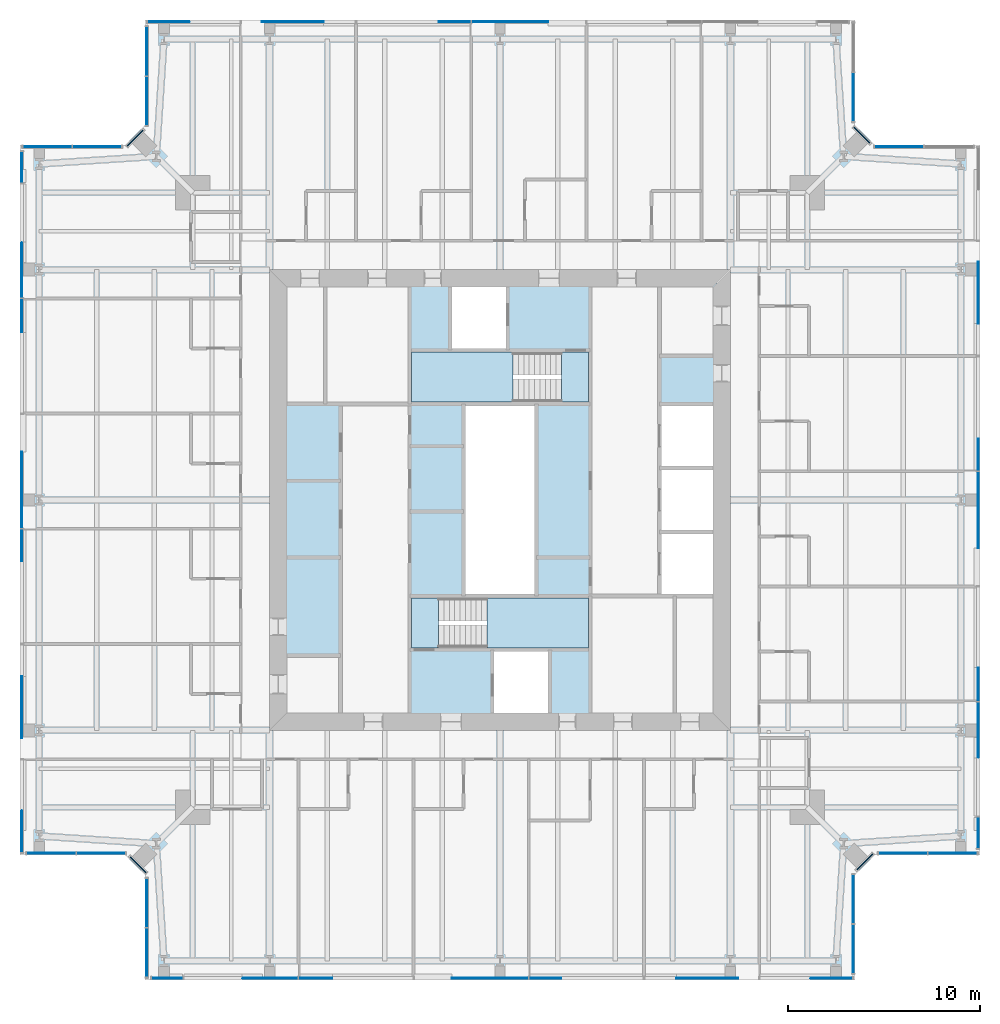
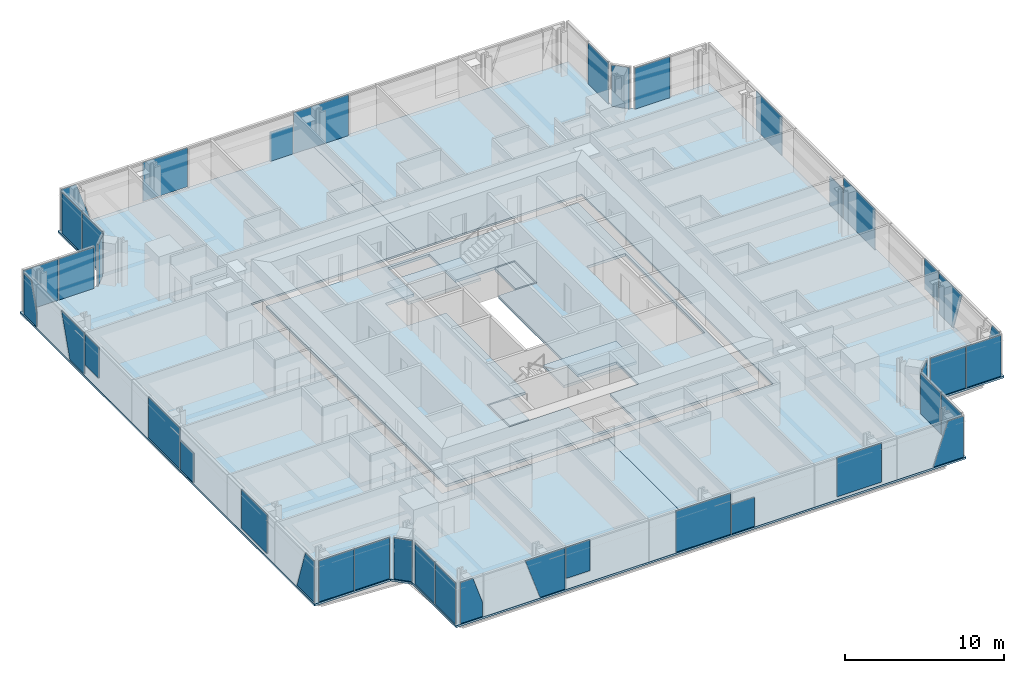
# One storey, part 10 of 20: 42 plates, 7 slabs, 18 elements without a shape of their own.
"""IFC4 building model written with IfcOpenShell, lengths in metres."""

import ifcopenshell
import ifcopenshell.guid

model = None  # the IFC model being written
_history = None  # IfcOwnerHistory: only IFC2X3 demands one
_inside = {}  # id of a spatial element -> (the spatial element, [elements in it])
_under = {}  # id of a project, library or spatial element -> (it, [spatial elements below it])
_declared = {}  # id of a project -> (the project, [libraries it declares])
_typed = {}  # id of a type object -> (the type object, [elements of that type])
_made_of = {}  # id of a material, layer set ... -> (it, [elements and type objects made of it])


def new_model(schema):
    """Start an empty IFC model of exactly this schema.

    Asked for "IFC4X3", IfcOpenShell would pick the latest addendum, in which some entities
    have other attributes; the version numbers below select the first issue.
    IFC2X3 requires an IfcOwnerHistory on every rooted entity: one is made here for all.
    """
    global model, _history
    if schema == "IFC4X3":
        model = ifcopenshell.file(schema_version=(4, 3, 0, 0))
    else:
        model = ifcopenshell.file(schema=schema)
    _inside.clear()
    _under.clear()
    _declared.clear()
    _typed.clear()
    _made_of.clear()
    _history = None
    if model.schema == "IFC2X3":
        org = make("IfcOrganization", Name="unknown")
        user = make(
            "IfcPersonAndOrganization",
            ThePerson=make("IfcPerson", FamilyName="unknown"),
            TheOrganization=org,
        )
        app = make(
            "IfcApplication",
            ApplicationDeveloper=org,
            Version="unknown",
            ApplicationFullName="unknown",
            ApplicationIdentifier="unknown",
        )
        _history = make(
            "IfcOwnerHistory",
            OwningUser=user,
            OwningApplication=app,
            ChangeAction="ADDED",
            CreationDate=0,
        )
    return model


def make(cls, **values):
    """One entity of the class cls with the attributes given. An attribute that is None is left unset."""
    return model.create_entity(
        cls, **{name: value for name, value in values.items() if value is not None}
    )


def rooted(cls, **values):
    """An entity with a GlobalId (a new one), such as an element, a storey or a relation."""
    return make(cls, GlobalId=ifcopenshell.guid.new(), OwnerHistory=_history, **values)


def si_unit(unit_type, name, prefix=None):
    """IfcSIUnit, for example si_unit("LENGTHUNIT", "METRE", prefix="MILLI")."""
    return make("IfcSIUnit", UnitType=unit_type, Prefix=prefix, Name=name)


def assignment(units):
    """IfcUnitAssignment: the units of a project."""
    return None if units is None else make("IfcUnitAssignment", Units=units)


def point(xyz):
    """IfcCartesianPoint."""
    return None if xyz is None else make("IfcCartesianPoint", Coordinates=xyz)


def direction(xyz):
    """IfcDirection."""
    return None if xyz is None else make("IfcDirection", DirectionRatios=xyz)


def frame(location, z_axis=None, x_axis=None):
    """IfcAxis2Placement3D, a coordinate frame: its origin and axes. An axis left out is left unset."""
    return make(
        "IfcAxis2Placement3D",
        Location=point(location),
        Axis=direction(z_axis),
        RefDirection=direction(x_axis),
    )


def frame_2d(location, x_axis=None):
    """IfcAxis2Placement2D, a coordinate frame in the plane: its origin and x axis."""
    return make(
        "IfcAxis2Placement2D", Location=point(location), RefDirection=direction(x_axis)
    )


def origin():
    """The frame at (0, 0, 0) with its axes left unset."""
    return frame((0.0, 0.0, 0.0))


def origin_2d():
    """The frame at (0, 0) in the plane with its x axis left unset."""
    return frame_2d((0.0, 0.0))


def place(relative_to, where):
    """IfcLocalPlacement: puts the frame where relative to a parent placement (None: the world)."""
    return make(
        "IfcLocalPlacement", PlacementRelTo=relative_to, RelativePlacement=where
    )


def context(
    kind, dimensions, precision=None, world=None, true_north=None, identifier=None
):
    """IfcGeometricRepresentationContext, for example the 3D "Model" context."""
    return make(
        "IfcGeometricRepresentationContext",
        ContextIdentifier=identifier,
        ContextType=kind,
        CoordinateSpaceDimension=dimensions,
        Precision=precision,
        WorldCoordinateSystem=world,
        TrueNorth=true_north,
    )


def subcontext(parent, identifier, kind, view, scale=None):
    """IfcGeometricRepresentationSubContext, for example "Body" below "Model"."""
    return make(
        "IfcGeometricRepresentationSubContext",
        ContextIdentifier=identifier,
        ContextType=kind,
        ParentContext=parent,
        TargetScale=scale,
        TargetView=view,
    )


def project(units=None, contexts=None):
    """IfcProject with its units and contexts."""
    return rooted(
        "IfcProject",
        Name="project",
        RepresentationContexts=contexts,
        UnitsInContext=assignment(units),
    )


def spatial(cls, under=None, at=None, **own):
    """A site, building, storey or space (cls), placed at a placement, below another one or the project."""
    s = rooted(cls, ObjectPlacement=at, **own)
    if under is not None:
        _under.setdefault(under.id(), (under, []))[1].append(s)
    return s


def polyline(points):
    """IfcPolyline through the points."""
    return make("IfcPolyline", Points=[point(p) for p in points])


def profile(cls, at=None, kind="AREA", **sizes):
    """A parametric profile (cls). Its sizes go by their IFC names, for example OverallWidth=200.0."""
    return make(cls, ProfileType=kind, Position=at, **sizes)


def rectangle(**sizes):
    """IfcRectangleProfileDef."""
    return profile("IfcRectangleProfileDef", **sizes)


def outline(outer, holes=None, kind="AREA"):
    """IfcArbitraryClosedProfileDef: a profile drawn as a closed curve; with holes, ...WithVoids."""
    if holes is None:
        return make("IfcArbitraryClosedProfileDef", ProfileType=kind, OuterCurve=outer)
    return make(
        "IfcArbitraryProfileDefWithVoids",
        ProfileType=kind,
        OuterCurve=outer,
        InnerCurves=holes,
    )


def extrude(swept, where, along, depth):
    """IfcExtrudedAreaSolid: the profile swept, set in the frame where, extruded along a direction by depth."""
    return make(
        "IfcExtrudedAreaSolid",
        SweptArea=swept,
        Position=where,
        ExtrudedDirection=direction(along),
        Depth=depth,
    )


def shape(context_of_items, identifier, shape_type, items):
    """IfcShapeRepresentation: the items that make up one representation, for example the "Body"."""
    return make(
        "IfcShapeRepresentation",
        ContextOfItems=context_of_items,
        RepresentationIdentifier=identifier,
        RepresentationType=shape_type,
        Items=items,
    )


def material(Name=None, Category=None):
    """IfcMaterial."""
    return make("IfcMaterial", Name=Name, Category=Category)


def layer(
    of_material, thickness, ventilated=None, Name=None, Category=None, Priority=None
):
    """IfcMaterialLayer: one layer of a wall or slab, of a material (None: an air gap)."""
    return make(
        "IfcMaterialLayer",
        Material=of_material,
        LayerThickness=thickness,
        IsVentilated=ventilated,
        Name=Name,
        Category=Category,
        Priority=Priority,
    )


def layer_set(layers, Name=None):
    """IfcMaterialLayerSet."""
    return make("IfcMaterialLayerSet", MaterialLayers=layers, LayerSetName=Name)


def made_of(thing, what):
    """Note that an element or type object is made of a material, layer set ...; save() writes the relation."""
    if what is not None:
        _made_of.setdefault(what.id(), (what, []))[1].append(thing)
    return thing


def type_object(cls, material=None, **own):
    """A type object (cls), such as IfcWallType, which elements share."""
    return made_of(rooted(cls, **own), material)


def element(
    cls,
    number,
    at=None,
    inside=None,
    cuts=None,
    type_object=None,
    material=None,
    context=None,
    identifier="Body",
    shape_type=None,
    held_by="IfcProductDefinitionShape",
    body=None,
    shapes=None,
    **own,
):
    """One element of the class cls, such as IfcWall. Its Tag is "e" and its number.

    at: its placement. inside: the storey or other place that contains it. cuts: it is an
    opening in that element (IfcRelVoidsElement). A single representation is given by context,
    identifier, shape_type and body (its items); several are given by shapes. held_by: the class
    of the entity that holds the representations. save() writes the other relations.
    """
    e = rooted(cls, Tag="e%d" % number, ObjectPlacement=at, **own)
    if body is not None:
        shapes = [shape(context, identifier, shape_type, body)]
    if shapes is not None:
        e.Representation = make(held_by, Representations=shapes)
    if inside is not None:
        _inside.setdefault(inside.id(), (inside, []))[1].append(e)
    if cuts is not None:
        rooted(
            "IfcRelVoidsElement", RelatingBuildingElement=cuts, RelatedOpeningElement=e
        )
    if type_object is not None:
        _typed.setdefault(type_object.id(), (type_object, []))[1].append(e)
    return made_of(e, material)


def aggregate(whole, parts):
    """IfcRelAggregates: a whole, such as a stair, and the parts it consists of."""
    return rooted("IfcRelAggregates", RelatingObject=whole, RelatedObjects=parts)


def save(model, path):
    """Write the relations noted so far, then the file.

    IfcRelAggregates (storeys below a building ...), IfcRelContainedInSpatialStructure (elements
    in a storey), IfcRelDefinesByType, IfcRelAssociatesMaterial and IfcRelDeclares: one each for
    every whole, place, type object, material and project.
    """
    for whole, parts in _under.values():
        aggregate(whole, parts)
    for where, things in _inside.values():
        rooted(
            "IfcRelContainedInSpatialStructure",
            RelatedElements=things,
            RelatingStructure=where,
        )
    for kind, things in _typed.values():
        rooted("IfcRelDefinesByType", RelatedObjects=things, RelatingType=kind)
    for what, things in _made_of.values():
        rooted("IfcRelAssociatesMaterial", RelatedObjects=things, RelatingMaterial=what)
    for by, libraries in _declared.values():
        rooted("IfcRelDeclares", RelatingContext=by, RelatedDefinitions=libraries)
    model.write(path)


model = new_model("IFC4")

# Units and contexts
model_context = context("Model", 3, precision=1e-05, world=origin(), true_north=direction((0.0, 1.0)))
body_context = subcontext(model_context, "Body", "Model", "MODEL_VIEW")
ifc_project = project(units=[si_unit("LENGTHUNIT", "METRE"), si_unit("AREAUNIT", "SQUARE_METRE"), si_unit("VOLUMEUNIT", "CUBIC_METRE"), si_unit("PLANEANGLEUNIT", "RADIAN"), si_unit("MASSUNIT", "GRAM", prefix="KILO")], contexts=[model_context])

# Site, building, storey
site_placement = place(None, origin())
site = spatial("IfcSite", under=ifc_project, at=site_placement, CompositionType="ELEMENT")
building_placement = place(site_placement, origin())
building = spatial("IfcBuilding", under=site, at=building_placement, Name="Fenwick Lantern Interchange", CompositionType="ELEMENT")
storey_placement = place(building_placement, frame((0.0, 0.0, 245.800048828125)))
storey = spatial("IfcBuildingStorey", under=building, at=storey_placement, Name="L57", CompositionType="ELEMENT", Elevation=245.800048828125)

# Slabs
ifc_material_1 = material(Name="Concrete f'c 35 MPa", Category="concrete")
ifc_layer_1 = layer(ifc_material_1, 0.199951171875)
ifc_layer_set_1 = layer_set([ifc_layer_1], Name="CORE FLOOR SLAB 200")
slab_type_1 = type_object("IfcSlabType", Name="CORE FLOOR SLAB 200", PredefinedType="FLOOR", material=ifc_layer_set_1)
slab_1_placement = place(storey_placement, frame((0.0, 0.0, -0.199951171875)))
element("IfcSlab", 1, at=slab_1_placement, inside=storey, type_object=slab_type_1, Name="L57/SLAB/CORE", PredefinedType="FLOOR", context=body_context, shape_type="SweptSolid", body=[
    extrude(outline(polyline([(13.699951171875, 36.300048828125), (36.300048828125, 36.300048828125), (36.300048828125, 13.699951171875), (13.699951171875, 13.699951171875), (13.699951171875, 36.300048828125)]), holes=[polyline([(24.60009765625, 13.89990234375), (27.60009765625, 13.89990234375), (27.60009765625, 17.199951171875), (29.699951171875, 17.199951171875), (29.699951171875, 20.0), (26.89990234375, 20.0), (26.89990234375, 30.0), (29.699951171875, 30.0), (29.699951171875, 32.800048828125), (25.39990234375, 32.800048828125), (25.39990234375, 36.10009765625), (22.39990234375, 36.10009765625), (22.39990234375, 32.800048828125), (20.300048828125, 32.800048828125), (20.300048828125, 30.0), (23.10009765625, 30.0), (23.10009765625, 20.0), (20.300048828125, 20.0), (20.300048828125, 17.199951171875), (24.60009765625, 17.199951171875), (24.60009765625, 13.89990234375)]), polyline([(33.300048828125, 20.0), (36.10009765625, 20.0), (36.10009765625, 23.333251953125), (36.10009765625, 26.666748046875), (36.10009765625, 30.0), (33.300048828125, 30.0), (33.300048828125, 26.666748046875), (33.300048828125, 23.333251953125), (33.300048828125, 20.0)])]), origin(), (0.0, 0.0, 1.0), 0.199951171875),
])
ifc_material_2 = material(Name="Concrete f'c 35 MPa", Category="concrete")
ifc_layer_2 = layer(ifc_material_2, 0.14990234375)
ifc_layer_set_2 = layer_set([ifc_layer_2], Name="Concrete f'c 35 MPa")
slab_type_2 = type_object("IfcSlabType", Name="FLOOR SLAB 150", PredefinedType="FLOOR", material=ifc_layer_set_2)
slab_2_placement = place(storey_placement, frame((0.0, 0.0, -0.150146484375)))
element("IfcSlab", 2, at=slab_2_placement, inside=storey, type_object=slab_type_2, Name="L57/SLAB/FW", PredefinedType="FLOOR", context=body_context, shape_type="SweptSolid", body=[
    extrude(outline(polyline([(6.5, 0.0), (6.5, 5.5), (5.5, 6.5), (0.0, 6.5), (0.0, 43.5), (5.5, 43.5), (6.5, 44.5), (6.5, 50.0), (25.0, 50.0), (25.0, 37.0), (13.0, 37.0), (13.0, 13.0), (25.0, 13.0), (25.0, 0.0), (6.5, 0.0)])), origin(), (0.0, 0.0, 1.0), 0.150146484375),
])
slab_3_placement = place(storey_placement, frame((0.0, 0.0, -0.150146484375)))
element("IfcSlab", 3, at=slab_3_placement, inside=storey, type_object=slab_type_2, Name="L57/SLAB/FE", PredefinedType="FLOOR", context=body_context, shape_type="SweptSolid", body=[
    extrude(outline(polyline([(43.5, 50.0), (43.5, 44.5), (44.5, 43.5), (50.0, 43.5), (50.0, 6.5), (44.5, 6.5), (43.5, 5.5), (43.5, 0.0), (25.0, 0.0), (25.0, 13.0), (37.0, 13.0), (37.0, 37.0), (25.0, 37.0), (25.0, 50.0), (43.5, 50.0)])), origin(), (0.0, 0.0, 1.0), 0.150146484375),
])

# Curtain wall, plates
ifc_material_3 = material(Name="Aluminium curtain wall frame", Category="aluminium")
curtain_wall_type = type_object("IfcCurtainWallType", Name="HOTEL CURTAIN WALL", PredefinedType="USERDEFINED", material=ifc_material_3)
curtain_wall_1_placement = place(storey_placement, origin())
curtain_wall_1 = element("IfcCurtainWall", 4, at=curtain_wall_1_placement, inside=storey, type_object=curtain_wall_type, Name="Hotel curtain wall 01", ObjectType="HOTEL CURTAIN WALL", PredefinedType="USERDEFINED")
ifc_material_4 = material(Name="Vision glass, acoustic laminated double glazed unit", Category="glass")
ifc_layer_3 = layer(ifc_material_4, 0.052001953125)
ifc_layer_set_3 = layer_set([ifc_layer_3], Name="HOTEL CURTAIN WALL PANEL 52")
plate_type = type_object("IfcPlateType", Name="HOTEL CURTAIN WALL PANEL 52", PredefinedType="CURTAIN_PANEL", material=ifc_layer_set_3)
plate_1_placement = place(storey_placement, frame((6.60009765625, 0.10009765625, 0.0), z_axis=(0.0, 0.0, 1.0), x_axis=(1.0, 0.0, 0.0)))
plate_1 = element("IfcPlate", 5, at=plate_1_placement, type_object=plate_type, Name="L57/CW/01/P00a", PredefinedType="CURTAIN_PANEL", context=body_context, shape_type="SweptSolid", body=[
    extrude(outline(polyline([(0.260009765625, 0.0), (1.8701171875, 0.0), (1.8701171875, 1.093505859375), (1.17578125, 3.14990234375), (0.260009765625, 3.14990234375), (0.260009765625, 0.0)])), frame((0.0, 0.02587890625, 0.0), z_axis=(0.0, -1.0, 0.0), x_axis=(1.0, 0.0, 0.0)), (0.0, 0.0, 1.0), 0.052001953125),
])
plate_2_placement = place(storey_placement, frame((6.60009765625, 0.10009765625, 0.0), z_axis=(0.0, 0.0, 1.0), x_axis=(1.0, 0.0, 0.0)))
plate_2 = element("IfcPlate", 6, at=plate_2_placement, type_object=plate_type, Name="L57/CW/01/P01a", PredefinedType="CURTAIN_PANEL", context=body_context, shape_type="SweptSolid", body=[
    extrude(outline(polyline([(6.038818359375, 0.0), (7.8701171875, 0.0), (7.8701171875, 3.14990234375), (4.975341796875, 3.14990234375), (6.038818359375, 0.0)])), frame((0.0, 0.02587890625, 0.0), z_axis=(0.0, -1.0, 0.0), x_axis=(1.0, 0.0, 0.0)), (0.0, 0.0, 1.0), 0.052001953125),
])
plate_3_placement = place(storey_placement, frame((6.60009765625, 0.10009765625, 0.7841796875), z_axis=(0.0, 0.0, 1.0), x_axis=(1.0, 0.0, 0.0)))
plate_3 = element("IfcPlate", 7, at=plate_3_placement, type_object=plate_type, Name="L57/CW/01/P02a", PredefinedType="CURTAIN_PANEL", context=body_context, shape_type="SweptSolid", body=[
    extrude(outline(polyline([(7.929931640625, 0.0), (9.675048828125, 0.0), (9.675048828125, 2.36572265625), (7.929931640625, 2.36572265625), (7.929931640625, 0.0)])), frame((0.0, 0.02587890625, 0.0), z_axis=(0.0, -1.0, 0.0), x_axis=(1.0, 0.0, 0.0)), (0.0, 0.0, 1.0), 0.052001953125),
])
plate_4_placement = place(storey_placement, frame((6.60009765625, 0.10009765625, 0.0), z_axis=(0.0, 0.0, 1.0), x_axis=(1.0, 0.0, 0.0)))
plate_4 = element("IfcPlate", 8, at=plate_4_placement, type_object=plate_type, Name="L57/CW/01/P03a", PredefinedType="CURTAIN_PANEL", context=body_context, shape_type="SweptSolid", body=[
    extrude(outline(polyline([(15.889892578125, 0.0), (19.8701171875, 0.0), (19.8701171875, 3.14990234375), (15.889892578125, 3.14990234375), (15.889892578125, 0.0)])), frame((0.0, 0.02587890625, 0.0), z_axis=(0.0, -1.0, 0.0), x_axis=(1.0, 0.0, 0.0)), (0.0, 0.0, 1.0), 0.052001953125),
])
plate_5_placement = place(storey_placement, frame((6.60009765625, 0.10009765625, 0.0), z_axis=(0.0, 0.0, 1.0), x_axis=(1.0, 0.0, 0.0)))
plate_5 = element("IfcPlate", 9, at=plate_5_placement, type_object=plate_type, Name="L57/CW/01/P04a", PredefinedType="CURTAIN_PANEL", context=body_context, shape_type="SweptSolid", body=[
    extrude(outline(polyline([(19.929931640625, 0.0), (21.580078125, 0.0), (21.580078125, 2.24169921875), (19.929931640625, 2.24169921875), (19.929931640625, 0.0)])), frame((0.0, 0.02587890625, 0.0), z_axis=(0.0, -1.0, 0.0), x_axis=(1.0, 0.0, 0.0)), (0.0, 0.0, 1.0), 0.052001953125),
])
plate_6_placement = place(storey_placement, frame((6.60009765625, 0.10009765625, 0.15966796875), z_axis=(0.0, 0.0, 1.0), x_axis=(1.0, 0.0, 0.0)))
plate_6 = element("IfcPlate", 10, at=plate_6_placement, type_object=plate_type, Name="L57/CW/01/P05a", PredefinedType="CURTAIN_PANEL", context=body_context, shape_type="SweptSolid", body=[
    extrude(outline(polyline([(27.5849609375, 0.0), (30.81494140625, 0.0), (30.81494140625, 2.990234375), (27.5849609375, 2.990234375), (27.5849609375, 0.0)])), frame((0.0, 0.02587890625, 0.0), z_axis=(0.0, -1.0, 0.0), x_axis=(1.0, 0.0, 0.0)), (0.0, 0.0, 1.0), 0.052001953125),
])
plate_7_placement = place(storey_placement, frame((6.60009765625, 0.10009765625, 0.0), z_axis=(0.0, 0.0, 1.0), x_axis=(1.0, 0.0, 0.0)))
plate_7 = element("IfcPlate", 11, at=plate_7_placement, type_object=plate_type, Name="L57/CW/01/P06a", PredefinedType="CURTAIN_PANEL", context=body_context, shape_type="SweptSolid", body=[
    extrude(outline(polyline([(34.560791015625, 0.0), (36.739990234375, 0.0), (36.739990234375, 3.14990234375), (35.624267578125, 3.14990234375), (34.560791015625, 0.0)])), frame((0.0, 0.02587890625, 0.0), z_axis=(0.0, -1.0, 0.0), x_axis=(1.0, 0.0, 0.0)), (0.0, 0.0, 1.0), 0.052001953125),
])
aggregate(curtain_wall_1, [plate_1, plate_2, plate_3, plate_4, plate_5, plate_6, plate_7])

curtain_wall_2_placement = place(storey_placement, origin())
curtain_wall_2 = element("IfcCurtainWall", 12, at=curtain_wall_2_placement, inside=storey, type_object=curtain_wall_type, Name="Hotel curtain wall 02", ObjectType="HOTEL CURTAIN WALL", PredefinedType="USERDEFINED")
plate_8_placement = place(storey_placement, frame((43.39990234375, 1.625244140625, 0.0), z_axis=(0.0, 0.0, 1.0), x_axis=(0.0, 1.0, 0.0)))
plate_8 = element("IfcPlate", 13, at=plate_8_placement, type_object=plate_type, Name="L57/CW/02/P00", PredefinedType="CURTAIN_PANEL", context=body_context, shape_type="SweptSolid", body=[
    extrude(rectangle(XDim=2.53076171875, YDim=0.052001953125, at=origin_2d()), origin(), (0.0, 0.0, 1.0), 3.14990234375),
])
plate_9_placement = place(storey_placement, frame((43.39990234375, 4.216064453125, 0.0), z_axis=(0.0, 0.0, 1.0), x_axis=(0.0, 1.0, 0.0)))
plate_9 = element("IfcPlate", 14, at=plate_9_placement, type_object=plate_type, Name="L57/CW/02/P01", PredefinedType="CURTAIN_PANEL", context=body_context, shape_type="SweptSolid", body=[
    extrude(rectangle(XDim=2.53076171875, YDim=0.052001953125, at=origin_2d()), origin(), (0.0, 0.0, 1.0), 3.14990234375),
])
aggregate(curtain_wall_2, [plate_8, plate_9])

# Curtain wall, plate
curtain_wall_3_placement = place(storey_placement, origin())
curtain_wall_3 = element("IfcCurtainWall", 15, at=curtain_wall_3_placement, inside=storey, type_object=curtain_wall_type, Name="Hotel curtain wall 03", ObjectType="HOTEL CURTAIN WALL", PredefinedType="USERDEFINED")
plate_10_placement = place(storey_placement, frame((44.0, 6.141357421875, 0.0), z_axis=(0.0, 0.0, 1.0), x_axis=(0.707106781187, 0.707106781187, 0.0)))
plate_10 = element("IfcPlate", 16, at=plate_10_placement, type_object=plate_type, Name="L57/CW/03/P00", PredefinedType="CURTAIN_PANEL", context=body_context, shape_type="SweptSolid", body=[
    extrude(rectangle(XDim=1.177001953125, YDim=0.052001953125, at=origin_2d()), origin(), (0.0, 0.0, 1.0), 3.14990234375),
])
aggregate(curtain_wall_3, [plate_10])

# Curtain wall, plates
curtain_wall_4_placement = place(storey_placement, origin())
curtain_wall_4 = element("IfcCurtainWall", 17, at=curtain_wall_4_placement, inside=storey, type_object=curtain_wall_type, Name="Hotel curtain wall 04", ObjectType="HOTEL CURTAIN WALL", PredefinedType="USERDEFINED")
plate_11_placement = place(storey_placement, frame((45.98388671875, 6.60009765625, 0.0), z_axis=(0.0, 0.0, 1.0), x_axis=(1.0, 0.0, 0.0)))
plate_11 = element("IfcPlate", 18, at=plate_11_placement, type_object=plate_type, Name="L57/CW/04/P00", PredefinedType="CURTAIN_PANEL", context=body_context, shape_type="SweptSolid", body=[
    extrude(rectangle(XDim=2.53076171875, YDim=0.052001953125, at=origin_2d()), origin(), (0.0, 0.0, 1.0), 3.14990234375),
])
plate_12_placement = place(storey_placement, frame((48.57470703125, 6.60009765625, 0.0), z_axis=(0.0, 0.0, 1.0), x_axis=(1.0, 0.0, 0.0)))
plate_12 = element("IfcPlate", 19, at=plate_12_placement, type_object=plate_type, Name="L57/CW/04/P01", PredefinedType="CURTAIN_PANEL", context=body_context, shape_type="SweptSolid", body=[
    extrude(rectangle(XDim=2.53076171875, YDim=0.052001953125, at=origin_2d()), origin(), (0.0, 0.0, 1.0), 3.14990234375),
])
aggregate(curtain_wall_4, [plate_11, plate_12])

curtain_wall_5_placement = place(storey_placement, origin())
curtain_wall_5 = element("IfcCurtainWall", 20, at=curtain_wall_5_placement, inside=storey, type_object=curtain_wall_type, Name="Hotel curtain wall 05", ObjectType="HOTEL CURTAIN WALL", PredefinedType="USERDEFINED")
plate_13_placement = place(storey_placement, frame((49.89990234375, 6.60009765625, 0.0), z_axis=(0.0, 0.0, 1.0), x_axis=(0.0, 1.0, 0.0)))
plate_13 = element("IfcPlate", 21, at=plate_13_placement, type_object=plate_type, Name="L57/CW/05/P00a", PredefinedType="CURTAIN_PANEL", context=body_context, shape_type="SweptSolid", body=[
    extrude(outline(polyline([(0.260009765625, 0.0), (1.8701171875, 0.0), (1.8701171875, 1.093505859375), (1.17578125, 3.14990234375), (0.260009765625, 3.14990234375), (0.260009765625, 0.0)])), frame((0.0, 0.02587890625, 0.0), z_axis=(0.0, -1.0, 0.0), x_axis=(1.0, 0.0, 0.0)), (0.0, 0.0, 1.0), 0.052001953125),
])
plate_14_placement = place(storey_placement, frame((49.89990234375, 6.60009765625, 0.0), z_axis=(0.0, 0.0, 1.0), x_axis=(0.0, 1.0, 0.0)))
plate_14 = element("IfcPlate", 22, at=plate_14_placement, type_object=plate_type, Name="L57/CW/05/P01a", PredefinedType="CURTAIN_PANEL", context=body_context, shape_type="SweptSolid", body=[
    extrude(outline(polyline([(6.038818359375, 0.0), (7.8701171875, 0.0), (7.8701171875, 3.14990234375), (4.975341796875, 3.14990234375), (6.038818359375, 0.0)])), frame((0.0, 0.02587890625, 0.0), z_axis=(0.0, -1.0, 0.0), x_axis=(1.0, 0.0, 0.0)), (0.0, 0.0, 1.0), 0.052001953125),
])
plate_15_placement = place(storey_placement, frame((49.89990234375, 6.60009765625, 0.7841796875), z_axis=(0.0, 0.0, 1.0), x_axis=(0.0, 1.0, 0.0)))
plate_15 = element("IfcPlate", 23, at=plate_15_placement, type_object=plate_type, Name="L57/CW/05/P02a", PredefinedType="CURTAIN_PANEL", context=body_context, shape_type="SweptSolid", body=[
    extrude(outline(polyline([(7.929931640625, 0.0), (9.675048828125, 0.0), (9.675048828125, 2.36572265625), (7.929931640625, 2.36572265625), (7.929931640625, 0.0)])), frame((0.0, 0.02587890625, 0.0), z_axis=(0.0, -1.0, 0.0), x_axis=(1.0, 0.0, 0.0)), (0.0, 0.0, 1.0), 0.052001953125),
])
plate_16_placement = place(storey_placement, frame((49.89990234375, 6.60009765625, 0.0), z_axis=(0.0, 0.0, 1.0), x_axis=(0.0, 1.0, 0.0)))
plate_16 = element("IfcPlate", 24, at=plate_16_placement, type_object=plate_type, Name="L57/CW/05/P03a", PredefinedType="CURTAIN_PANEL", context=body_context, shape_type="SweptSolid", body=[
    extrude(outline(polyline([(15.889892578125, 0.0), (19.8701171875, 0.0), (19.8701171875, 3.14990234375), (15.889892578125, 3.14990234375), (15.889892578125, 0.0)])), frame((0.0, 0.02587890625, 0.0), z_axis=(0.0, -1.0, 0.0), x_axis=(1.0, 0.0, 0.0)), (0.0, 0.0, 1.0), 0.052001953125),
])
plate_17_placement = place(storey_placement, frame((49.89990234375, 6.60009765625, 0.0), z_axis=(0.0, 0.0, 1.0), x_axis=(0.0, 1.0, 0.0)))
plate_17 = element("IfcPlate", 25, at=plate_17_placement, type_object=plate_type, Name="L57/CW/05/P04a", PredefinedType="CURTAIN_PANEL", context=body_context, shape_type="SweptSolid", body=[
    extrude(outline(polyline([(19.929931640625, 0.0), (21.580078125, 0.0), (21.580078125, 2.24169921875), (19.929931640625, 2.24169921875), (19.929931640625, 0.0)])), frame((0.0, 0.02587890625, 0.0), z_axis=(0.0, -1.0, 0.0), x_axis=(1.0, 0.0, 0.0)), (0.0, 0.0, 1.0), 0.052001953125),
])
plate_18_placement = place(storey_placement, frame((49.89990234375, 6.60009765625, 0.15966796875), z_axis=(0.0, 0.0, 1.0), x_axis=(0.0, 1.0, 0.0)))
plate_18 = element("IfcPlate", 26, at=plate_18_placement, type_object=plate_type, Name="L57/CW/05/P05a", PredefinedType="CURTAIN_PANEL", context=body_context, shape_type="SweptSolid", body=[
    extrude(outline(polyline([(27.5849609375, 0.0), (30.81494140625, 0.0), (30.81494140625, 2.990234375), (27.5849609375, 2.990234375), (27.5849609375, 0.0)])), frame((0.0, 0.02587890625, 0.0), z_axis=(0.0, -1.0, 0.0), x_axis=(1.0, 0.0, 0.0)), (0.0, 0.0, 1.0), 0.052001953125),
])
aggregate(curtain_wall_5, [plate_13, plate_14, plate_15, plate_16, plate_17, plate_18])

# Curtain wall, plate
curtain_wall_6_placement = place(storey_placement, origin())
curtain_wall_6 = element("IfcCurtainWall", 27, at=curtain_wall_6_placement, inside=storey, type_object=curtain_wall_type, Name="Hotel curtain wall 06", ObjectType="HOTEL CURTAIN WALL", PredefinedType="USERDEFINED")
plate_19_placement = place(storey_placement, frame((45.783935546875, 43.39990234375, 0.0), z_axis=(0.0, 0.0, 1.0), x_axis=(-1.0, 0.0, 0.0)))
plate_19 = element("IfcPlate", 28, at=plate_19_placement, type_object=plate_type, Name="L57/CW/06/P01", PredefinedType="CURTAIN_PANEL", context=body_context, shape_type="SweptSolid", body=[
    extrude(rectangle(XDim=2.53076171875, YDim=0.052001953125, at=origin_2d()), origin(), (0.0, 0.0, 1.0), 3.14990234375),
])
aggregate(curtain_wall_6, [plate_19])

curtain_wall_7_placement = place(storey_placement, origin())
curtain_wall_7 = element("IfcCurtainWall", 29, at=curtain_wall_7_placement, inside=storey, type_object=curtain_wall_type, Name="Hotel curtain wall 07", ObjectType="HOTEL CURTAIN WALL", PredefinedType="USERDEFINED")
plate_20_placement = place(storey_placement, frame((43.858642578125, 44.0, 0.0), z_axis=(0.0, 0.0, 1.0), x_axis=(-0.707106781187, 0.707106781187, 0.0)))
plate_20 = element("IfcPlate", 30, at=plate_20_placement, type_object=plate_type, Name="L57/CW/07/P00", PredefinedType="CURTAIN_PANEL", context=body_context, shape_type="SweptSolid", body=[
    extrude(rectangle(XDim=1.177001953125, YDim=0.052001953125, at=origin_2d()), origin(), (0.0, 0.0, 1.0), 3.14990234375),
])
aggregate(curtain_wall_7, [plate_20])

curtain_wall_8_placement = place(storey_placement, origin())
curtain_wall_8 = element("IfcCurtainWall", 31, at=curtain_wall_8_placement, inside=storey, type_object=curtain_wall_type, Name="Hotel curtain wall 08", ObjectType="HOTEL CURTAIN WALL", PredefinedType="USERDEFINED")
plate_21_placement = place(storey_placement, frame((43.39990234375, 45.98388671875, 0.0), z_axis=(0.0, 0.0, 1.0), x_axis=(0.0, 1.0, 0.0)))
plate_21 = element("IfcPlate", 32, at=plate_21_placement, type_object=plate_type, Name="L57/CW/08/P00", PredefinedType="CURTAIN_PANEL", context=body_context, shape_type="SweptSolid", body=[
    extrude(rectangle(XDim=2.53076171875, YDim=0.052001953125, at=origin_2d()), origin(), (0.0, 0.0, 1.0), 3.14990234375),
])
aggregate(curtain_wall_8, [plate_21])

# Curtain wall, plates
curtain_wall_9_placement = place(storey_placement, origin())
curtain_wall_9 = element("IfcCurtainWall", 33, at=curtain_wall_9_placement, inside=storey, type_object=curtain_wall_type, Name="Hotel curtain wall 09", ObjectType="HOTEL CURTAIN WALL", PredefinedType="USERDEFINED")
plate_22_placement = place(storey_placement, frame((43.39990234375, 49.89990234375, 0.0), z_axis=(0.0, 0.0, 1.0), x_axis=(-1.0, 0.0, 0.0)))
plate_22 = element("IfcPlate", 34, at=plate_22_placement, type_object=plate_type, Name="L57/CW/09/P03a", PredefinedType="CURTAIN_PANEL", context=body_context, shape_type="SweptSolid", body=[
    extrude(outline(polyline([(15.889892578125, 0.0), (19.8701171875, 0.0), (19.8701171875, 3.14990234375), (15.889892578125, 3.14990234375), (15.889892578125, 0.0)])), frame((0.0, 0.02587890625, 0.0), z_axis=(0.0, -1.0, 0.0), x_axis=(1.0, 0.0, 0.0)), (0.0, 0.0, 1.0), 0.052001953125),
])
plate_23_placement = place(storey_placement, frame((43.39990234375, 49.89990234375, 0.0), z_axis=(0.0, 0.0, 1.0), x_axis=(-1.0, 0.0, 0.0)))
plate_23 = element("IfcPlate", 35, at=plate_23_placement, type_object=plate_type, Name="L57/CW/09/P04a", PredefinedType="CURTAIN_PANEL", context=body_context, shape_type="SweptSolid", body=[
    extrude(outline(polyline([(19.929931640625, 0.0), (21.580078125, 0.0), (21.580078125, 2.24169921875), (19.929931640625, 2.24169921875), (19.929931640625, 0.0)])), frame((0.0, 0.02587890625, 0.0), z_axis=(0.0, -1.0, 0.0), x_axis=(1.0, 0.0, 0.0)), (0.0, 0.0, 1.0), 0.052001953125),
])
plate_24_placement = place(storey_placement, frame((43.39990234375, 49.89990234375, 0.15966796875), z_axis=(0.0, 0.0, 1.0), x_axis=(-1.0, 0.0, 0.0)))
plate_24 = element("IfcPlate", 36, at=plate_24_placement, type_object=plate_type, Name="L57/CW/09/P05a", PredefinedType="CURTAIN_PANEL", context=body_context, shape_type="SweptSolid", body=[
    extrude(outline(polyline([(27.5849609375, 0.0), (30.81494140625, 0.0), (30.81494140625, 2.990234375), (27.5849609375, 2.990234375), (27.5849609375, 0.0)])), frame((0.0, 0.02587890625, 0.0), z_axis=(0.0, -1.0, 0.0), x_axis=(1.0, 0.0, 0.0)), (0.0, 0.0, 1.0), 0.052001953125),
])
plate_25_placement = place(storey_placement, frame((43.39990234375, 49.89990234375, 0.0), z_axis=(0.0, 0.0, 1.0), x_axis=(-1.0, 0.0, 0.0)))
plate_25 = element("IfcPlate", 37, at=plate_25_placement, type_object=plate_type, Name="L57/CW/09/P06a", PredefinedType="CURTAIN_PANEL", context=body_context, shape_type="SweptSolid", body=[
    extrude(outline(polyline([(34.560791015625, 0.0), (36.739990234375, 0.0), (36.739990234375, 3.14990234375), (35.624267578125, 3.14990234375), (34.560791015625, 0.0)])), frame((0.0, 0.02587890625, 0.0), z_axis=(0.0, -1.0, 0.0), x_axis=(1.0, 0.0, 0.0)), (0.0, 0.0, 1.0), 0.052001953125),
])
aggregate(curtain_wall_9, [plate_22, plate_23, plate_24, plate_25])

curtain_wall_10_placement = place(storey_placement, origin())
curtain_wall_10 = element("IfcCurtainWall", 38, at=curtain_wall_10_placement, inside=storey, type_object=curtain_wall_type, Name="Hotel curtain wall 10", ObjectType="HOTEL CURTAIN WALL", PredefinedType="USERDEFINED")
plate_26_placement = place(storey_placement, frame((6.60009765625, 48.374755859375, 0.0), z_axis=(0.0, 0.0, 1.0), x_axis=(0.0, -1.0, 0.0)))
plate_26 = element("IfcPlate", 39, at=plate_26_placement, type_object=plate_type, Name="L57/CW/10/P00", PredefinedType="CURTAIN_PANEL", context=body_context, shape_type="SweptSolid", body=[
    extrude(rectangle(XDim=2.53076171875, YDim=0.052001953125, at=origin_2d()), origin(), (0.0, 0.0, 1.0), 3.14990234375),
])
plate_27_placement = place(storey_placement, frame((6.60009765625, 45.783935546875, 0.0), z_axis=(0.0, 0.0, 1.0), x_axis=(0.0, -1.0, 0.0)))
plate_27 = element("IfcPlate", 40, at=plate_27_placement, type_object=plate_type, Name="L57/CW/10/P01", PredefinedType="CURTAIN_PANEL", context=body_context, shape_type="SweptSolid", body=[
    extrude(rectangle(XDim=2.53076171875, YDim=0.052001953125, at=origin_2d()), origin(), (0.0, 0.0, 1.0), 3.14990234375),
])
aggregate(curtain_wall_10, [plate_26, plate_27])

# Curtain wall, plate
curtain_wall_11_placement = place(storey_placement, origin())
curtain_wall_11 = element("IfcCurtainWall", 41, at=curtain_wall_11_placement, inside=storey, type_object=curtain_wall_type, Name="Hotel curtain wall 11", ObjectType="HOTEL CURTAIN WALL", PredefinedType="USERDEFINED")
plate_28_placement = place(storey_placement, frame((6.0, 43.858642578125, 0.0), z_axis=(0.0, 0.0, 1.0), x_axis=(-0.707106781187, -0.707106781187, 0.0)))
plate_28 = element("IfcPlate", 42, at=plate_28_placement, type_object=plate_type, Name="L57/CW/11/P00", PredefinedType="CURTAIN_PANEL", context=body_context, shape_type="SweptSolid", body=[
    extrude(rectangle(XDim=1.177001953125, YDim=0.052001953125, at=origin_2d()), origin(), (0.0, 0.0, 1.0), 3.14990234375),
])
aggregate(curtain_wall_11, [plate_28])

# Curtain wall, plates
curtain_wall_12_placement = place(storey_placement, origin())
curtain_wall_12 = element("IfcCurtainWall", 43, at=curtain_wall_12_placement, inside=storey, type_object=curtain_wall_type, Name="Hotel curtain wall 12", ObjectType="HOTEL CURTAIN WALL", PredefinedType="USERDEFINED")
plate_29_placement = place(storey_placement, frame((4.01611328125, 43.39990234375, 0.0), z_axis=(0.0, 0.0, 1.0), x_axis=(-1.0, 0.0, 0.0)))
plate_29 = element("IfcPlate", 44, at=plate_29_placement, type_object=plate_type, Name="L57/CW/12/P00", PredefinedType="CURTAIN_PANEL", context=body_context, shape_type="SweptSolid", body=[
    extrude(rectangle(XDim=2.53076171875, YDim=0.052001953125, at=origin_2d()), origin(), (0.0, 0.0, 1.0), 3.14990234375),
])
plate_30_placement = place(storey_placement, frame((1.42529296875, 43.39990234375, 0.0), z_axis=(0.0, 0.0, 1.0), x_axis=(-1.0, 0.0, 0.0)))
plate_30 = element("IfcPlate", 45, at=plate_30_placement, type_object=plate_type, Name="L57/CW/12/P01", PredefinedType="CURTAIN_PANEL", context=body_context, shape_type="SweptSolid", body=[
    extrude(rectangle(XDim=2.53076171875, YDim=0.052001953125, at=origin_2d()), origin(), (0.0, 0.0, 1.0), 3.14990234375),
])
aggregate(curtain_wall_12, [plate_29, plate_30])

curtain_wall_13_placement = place(storey_placement, origin())
curtain_wall_13 = element("IfcCurtainWall", 46, at=curtain_wall_13_placement, inside=storey, type_object=curtain_wall_type, Name="Hotel curtain wall 13", ObjectType="HOTEL CURTAIN WALL", PredefinedType="USERDEFINED")
plate_31_placement = place(storey_placement, frame((0.10009765625, 43.39990234375, 0.0), z_axis=(0.0, 0.0, 1.0), x_axis=(0.0, -1.0, 0.0)))
plate_31 = element("IfcPlate", 47, at=plate_31_placement, type_object=plate_type, Name="L57/CW/13/P00a", PredefinedType="CURTAIN_PANEL", context=body_context, shape_type="SweptSolid", body=[
    extrude(outline(polyline([(0.260009765625, 0.0), (1.8701171875, 0.0), (1.8701171875, 1.093505859375), (1.17578125, 3.14990234375), (0.260009765625, 3.14990234375), (0.260009765625, 0.0)])), frame((0.0, 0.02587890625, 0.0), z_axis=(0.0, -1.0, 0.0), x_axis=(1.0, 0.0, 0.0)), (0.0, 0.0, 1.0), 0.052001953125),
])
plate_32_placement = place(storey_placement, frame((0.10009765625, 43.39990234375, 0.0), z_axis=(0.0, 0.0, 1.0), x_axis=(0.0, -1.0, 0.0)))
plate_32 = element("IfcPlate", 48, at=plate_32_placement, type_object=plate_type, Name="L57/CW/13/P01a", PredefinedType="CURTAIN_PANEL", context=body_context, shape_type="SweptSolid", body=[
    extrude(outline(polyline([(6.038818359375, 0.0), (7.8701171875, 0.0), (7.8701171875, 3.14990234375), (4.975341796875, 3.14990234375), (6.038818359375, 0.0)])), frame((0.0, 0.02587890625, 0.0), z_axis=(0.0, -1.0, 0.0), x_axis=(1.0, 0.0, 0.0)), (0.0, 0.0, 1.0), 0.052001953125),
])
plate_33_placement = place(storey_placement, frame((0.10009765625, 43.39990234375, 0.7841796875), z_axis=(0.0, 0.0, 1.0), x_axis=(0.0, -1.0, 0.0)))
plate_33 = element("IfcPlate", 49, at=plate_33_placement, type_object=plate_type, Name="L57/CW/13/P02a", PredefinedType="CURTAIN_PANEL", context=body_context, shape_type="SweptSolid", body=[
    extrude(outline(polyline([(7.929931640625, 0.0), (9.675048828125, 0.0), (9.675048828125, 2.36572265625), (7.929931640625, 2.36572265625), (7.929931640625, 0.0)])), frame((0.0, 0.02587890625, 0.0), z_axis=(0.0, -1.0, 0.0), x_axis=(1.0, 0.0, 0.0)), (0.0, 0.0, 1.0), 0.052001953125),
])
plate_34_placement = place(storey_placement, frame((0.10009765625, 43.39990234375, 0.0), z_axis=(0.0, 0.0, 1.0), x_axis=(0.0, -1.0, 0.0)))
plate_34 = element("IfcPlate", 50, at=plate_34_placement, type_object=plate_type, Name="L57/CW/13/P03a", PredefinedType="CURTAIN_PANEL", context=body_context, shape_type="SweptSolid", body=[
    extrude(outline(polyline([(15.889892578125, 0.0), (19.8701171875, 0.0), (19.8701171875, 3.14990234375), (15.889892578125, 3.14990234375), (15.889892578125, 0.0)])), frame((0.0, 0.02587890625, 0.0), z_axis=(0.0, -1.0, 0.0), x_axis=(1.0, 0.0, 0.0)), (0.0, 0.0, 1.0), 0.052001953125),
])
plate_35_placement = place(storey_placement, frame((0.10009765625, 43.39990234375, 0.0), z_axis=(0.0, 0.0, 1.0), x_axis=(0.0, -1.0, 0.0)))
plate_35 = element("IfcPlate", 51, at=plate_35_placement, type_object=plate_type, Name="L57/CW/13/P04a", PredefinedType="CURTAIN_PANEL", context=body_context, shape_type="SweptSolid", body=[
    extrude(outline(polyline([(19.929931640625, 0.0), (21.580078125, 0.0), (21.580078125, 2.24169921875), (19.929931640625, 2.24169921875), (19.929931640625, 0.0)])), frame((0.0, 0.02587890625, 0.0), z_axis=(0.0, -1.0, 0.0), x_axis=(1.0, 0.0, 0.0)), (0.0, 0.0, 1.0), 0.052001953125),
])
plate_36_placement = place(storey_placement, frame((0.10009765625, 43.39990234375, 0.15966796875), z_axis=(0.0, 0.0, 1.0), x_axis=(0.0, -1.0, 0.0)))
plate_36 = element("IfcPlate", 52, at=plate_36_placement, type_object=plate_type, Name="L57/CW/13/P05a", PredefinedType="CURTAIN_PANEL", context=body_context, shape_type="SweptSolid", body=[
    extrude(outline(polyline([(27.5849609375, 0.0), (30.81494140625, 0.0), (30.81494140625, 2.990234375), (27.5849609375, 2.990234375), (27.5849609375, 0.0)])), frame((0.0, 0.02587890625, 0.0), z_axis=(0.0, -1.0, 0.0), x_axis=(1.0, 0.0, 0.0)), (0.0, 0.0, 1.0), 0.052001953125),
])
plate_37_placement = place(storey_placement, frame((0.10009765625, 43.39990234375, 0.0), z_axis=(0.0, 0.0, 1.0), x_axis=(0.0, -1.0, 0.0)))
plate_37 = element("IfcPlate", 53, at=plate_37_placement, type_object=plate_type, Name="L57/CW/13/P06a", PredefinedType="CURTAIN_PANEL", context=body_context, shape_type="SweptSolid", body=[
    extrude(outline(polyline([(34.560791015625, 0.0), (36.739990234375, 0.0), (36.739990234375, 3.14990234375), (35.624267578125, 3.14990234375), (34.560791015625, 0.0)])), frame((0.0, 0.02587890625, 0.0), z_axis=(0.0, -1.0, 0.0), x_axis=(1.0, 0.0, 0.0)), (0.0, 0.0, 1.0), 0.052001953125),
])
aggregate(curtain_wall_13, [plate_31, plate_32, plate_33, plate_34, plate_35, plate_36, plate_37])

curtain_wall_14_placement = place(storey_placement, origin())
curtain_wall_14 = element("IfcCurtainWall", 54, at=curtain_wall_14_placement, inside=storey, type_object=curtain_wall_type, Name="Hotel curtain wall 14", ObjectType="HOTEL CURTAIN WALL", PredefinedType="USERDEFINED")
plate_38_placement = place(storey_placement, frame((1.625244140625, 6.60009765625, 0.0), z_axis=(0.0, 0.0, 1.0), x_axis=(1.0, 0.0, 0.0)))
plate_38 = element("IfcPlate", 55, at=plate_38_placement, type_object=plate_type, Name="L57/CW/14/P00", PredefinedType="CURTAIN_PANEL", context=body_context, shape_type="SweptSolid", body=[
    extrude(rectangle(XDim=2.53076171875, YDim=0.052001953125, at=origin_2d()), origin(), (0.0, 0.0, 1.0), 3.14990234375),
])
plate_39_placement = place(storey_placement, frame((4.216064453125, 6.60009765625, 0.0), z_axis=(0.0, 0.0, 1.0), x_axis=(1.0, 0.0, 0.0)))
plate_39 = element("IfcPlate", 56, at=plate_39_placement, type_object=plate_type, Name="L57/CW/14/P01", PredefinedType="CURTAIN_PANEL", context=body_context, shape_type="SweptSolid", body=[
    extrude(rectangle(XDim=2.53076171875, YDim=0.052001953125, at=origin_2d()), origin(), (0.0, 0.0, 1.0), 3.14990234375),
])
aggregate(curtain_wall_14, [plate_38, plate_39])

# Curtain wall, plate
curtain_wall_15_placement = place(storey_placement, origin())
curtain_wall_15 = element("IfcCurtainWall", 57, at=curtain_wall_15_placement, inside=storey, type_object=curtain_wall_type, Name="Hotel curtain wall 15", ObjectType="HOTEL CURTAIN WALL", PredefinedType="USERDEFINED")
plate_40_placement = place(storey_placement, frame((6.141357421875, 6.0, 0.0), z_axis=(0.0, 0.0, 1.0), x_axis=(0.707106781187, -0.707106781187, 0.0)))
plate_40 = element("IfcPlate", 58, at=plate_40_placement, type_object=plate_type, Name="L57/CW/15/P00", PredefinedType="CURTAIN_PANEL", context=body_context, shape_type="SweptSolid", body=[
    extrude(rectangle(XDim=1.177001953125, YDim=0.052001953125, at=origin_2d()), origin(), (0.0, 0.0, 1.0), 3.14990234375),
])
aggregate(curtain_wall_15, [plate_40])

# Curtain wall, plates
curtain_wall_16_placement = place(storey_placement, origin())
curtain_wall_16 = element("IfcCurtainWall", 59, at=curtain_wall_16_placement, inside=storey, type_object=curtain_wall_type, Name="Hotel curtain wall 16", ObjectType="HOTEL CURTAIN WALL", PredefinedType="USERDEFINED")
plate_41_placement = place(storey_placement, frame((6.60009765625, 4.01611328125, 0.0), z_axis=(0.0, 0.0, 1.0), x_axis=(0.0, -1.0, 0.0)))
plate_41 = element("IfcPlate", 60, at=plate_41_placement, type_object=plate_type, Name="L57/CW/16/P00", PredefinedType="CURTAIN_PANEL", context=body_context, shape_type="SweptSolid", body=[
    extrude(rectangle(XDim=2.53076171875, YDim=0.052001953125, at=origin_2d()), origin(), (0.0, 0.0, 1.0), 3.14990234375),
])
plate_42_placement = place(storey_placement, frame((6.60009765625, 1.42529296875, 0.0), z_axis=(0.0, 0.0, 1.0), x_axis=(0.0, -1.0, 0.0)))
plate_42 = element("IfcPlate", 61, at=plate_42_placement, type_object=plate_type, Name="L57/CW/16/P01", PredefinedType="CURTAIN_PANEL", context=body_context, shape_type="SweptSolid", body=[
    extrude(rectangle(XDim=2.53076171875, YDim=0.052001953125, at=origin_2d()), origin(), (0.0, 0.0, 1.0), 3.14990234375),
])
aggregate(curtain_wall_16, [plate_41, plate_42])

# Stair, slabs
ifc_material_5 = material(Name="Precast concrete f'c 35 MPa", Category="concrete")
stair_type = type_object("IfcStairType", Name="EXIT STAIR 1200", PredefinedType="HALF_TURN_STAIR", material=ifc_material_5)
stair_1_placement = place(storey_placement, origin())
stair_1 = element("IfcStair", 62, at=stair_1_placement, inside=storey, type_object=stair_type, Name="Exit stair ST1", PredefinedType="HALF_TURN_STAIR")
ifc_layer_4 = layer(ifc_material_1, 0.199951171875)
ifc_layer_set_4 = layer_set([ifc_layer_4], Name="STAIR LANDING 200")
slab_type_3 = type_object("IfcSlabType", Name="STAIR LANDING 200", PredefinedType="LANDING", material=ifc_layer_set_4)
slab_4_placement = place(storey_placement, frame((0.0, 0.0, 1.5)))
slab_4 = element("IfcSlab", 63, at=slab_4_placement, type_object=slab_type_3, Name="ST1 landing 1", PredefinedType="LANDING", context=body_context, shape_type="SweptSolid", body=[
    extrude(outline(polyline([(24.320068359375, 17.300048828125), (29.60009765625, 17.300048828125), (29.60009765625, 19.89990234375), (24.320068359375, 19.89990234375), (24.320068359375, 17.300048828125)])), origin(), (0.0, 0.0, 1.0), 0.199951171875),
])
slab_5_placement = place(storey_placement, frame((0.0, 0.0, -0.199951171875)))
slab_5 = element("IfcSlab", 64, at=slab_5_placement, type_object=slab_type_3, Name="ST1 landing 2", PredefinedType="LANDING", context=body_context, shape_type="SweptSolid", body=[
    extrude(outline(polyline([(20.39990234375, 17.300048828125), (21.800048828125, 17.300048828125), (21.800048828125, 19.89990234375), (20.39990234375, 19.89990234375), (20.39990234375, 17.300048828125)])), origin(), (0.0, 0.0, 1.0), 0.199951171875),
])
aggregate(stair_1, [slab_4, slab_5])

stair_2_placement = place(storey_placement, origin())
stair_2 = element("IfcStair", 65, at=stair_2_placement, inside=storey, type_object=stair_type, Name="Exit stair ST2", PredefinedType="HALF_TURN_STAIR")
slab_6_placement = place(storey_placement, frame((0.0, 0.0, 1.5)))
slab_6 = element("IfcSlab", 66, at=slab_6_placement, type_object=slab_type_3, Name="ST2 landing 1", PredefinedType="LANDING", context=body_context, shape_type="SweptSolid", body=[
    extrude(outline(polyline([(25.679931640625, 32.699951171875), (20.39990234375, 32.699951171875), (20.39990234375, 30.10009765625), (25.679931640625, 30.10009765625), (25.679931640625, 32.699951171875)])), origin(), (0.0, 0.0, 1.0), 0.199951171875),
])
slab_7_placement = place(storey_placement, frame((0.0, 0.0, -0.199951171875)))
slab_7 = element("IfcSlab", 67, at=slab_7_placement, type_object=slab_type_3, Name="ST2 landing 2", PredefinedType="LANDING", context=body_context, shape_type="SweptSolid", body=[
    extrude(outline(polyline([(29.60009765625, 32.699951171875), (28.199951171875, 32.699951171875), (28.199951171875, 30.10009765625), (29.60009765625, 30.10009765625), (29.60009765625, 32.699951171875)])), origin(), (0.0, 0.0, 1.0), 0.199951171875),
])
aggregate(stair_2, [slab_6, slab_7])

save(model, "model.ifc")
